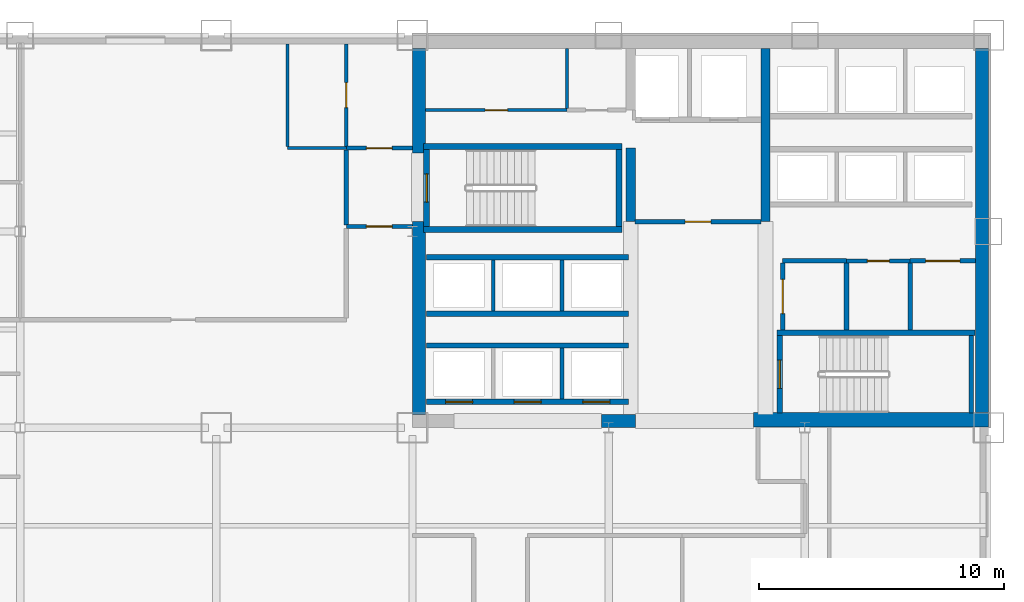
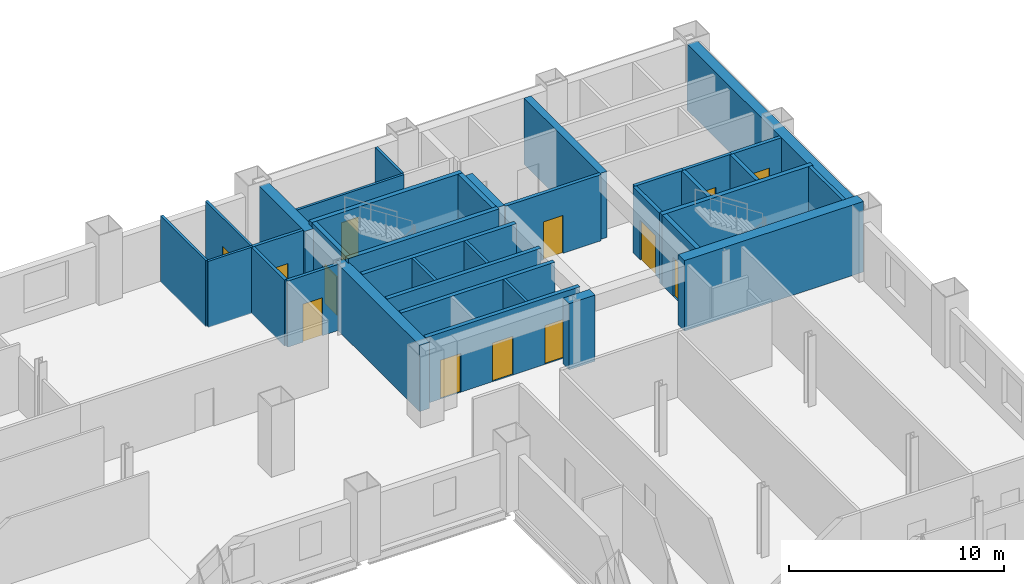
# One storey, part 6 of 9: 36 walls, 13 doors, 13 openings.
"""IFC4 building model written with IfcOpenShell, lengths in metres."""

from ifc_helpers import new_model, si_unit, direction, frame, frame_2d, origin, place, context, subcontext, project, spatial, rectangle, extrude, material, layer, layer_set, type_object, element, fill, save


model = new_model("IFC4")

# Units and contexts
model_context = context("Model", 3, precision=1e-05, world=origin(), true_north=direction((0.0, 1.0)))
body_context = subcontext(model_context, "Body", "Model", "MODEL_VIEW")
ifc_project = project(units=[si_unit("LENGTHUNIT", "METRE"), si_unit("AREAUNIT", "SQUARE_METRE"), si_unit("VOLUMEUNIT", "CUBIC_METRE"), si_unit("PLANEANGLEUNIT", "RADIAN"), si_unit("MASSUNIT", "GRAM", prefix="KILO")], contexts=[model_context])

# Site, building, storey
site_placement = place(None, origin())
site = spatial("IfcSite", under=ifc_project, at=site_placement, CompositionType="ELEMENT")
building_placement = place(site_placement, origin())
building = spatial("IfcBuilding", under=site, at=building_placement, Name="Qianrong Seaharbour Tower", CompositionType="ELEMENT")
storey_placement = place(building_placement, frame((0.0, 0.0, 76.199951171875)))
storey = spatial("IfcBuildingStorey", under=building, at=storey_placement, Name="L18", CompositionType="ELEMENT", Elevation=76.199951171875)

# Walls
ifc_material_1 = material(Name="Concrete C70/85", Category="concrete")
ifc_layer_1 = layer(ifc_material_1, 0.5400390625)
ifc_layer_set_1 = layer_set([ifc_layer_1], Name="Concrete C70/85")
wall_type_1 = type_object("IfcWallType", Name="WALL-CORE-540", PredefinedType="SHEAR", material=ifc_layer_set_1)
wall_1_placement = place(storey_placement, frame((63.72998046875, 36.320068359375, 0.0), z_axis=(0.0, 0.0, 1.0), x_axis=(0.0, 1.0, 0.0)))
element("IfcWall", 1, at=wall_1_placement, inside=storey, type_object=wall_type_1, Name="L18 East Core Shear Wall", PredefinedType="SHEAR", context=body_context, shape_type="SweptSolid", body=[
    extrude(rectangle(XDim=15.139892578125, YDim=0.5400390625, at=frame_2d((7.56982421875, 0.0))), origin(), (0.0, 0.0, 1.0), 3.75),
])
wall_2_placement = place(storey_placement, frame((40.77001953125, 36.5400390625, 0.0), z_axis=(0.0, 0.0, 1.0), x_axis=(0.0, 1.0, 0.0)))
element("IfcWall", 2, at=wall_2_placement, inside=storey, type_object=wall_type_1, Name="L18 West Core Shear Wall South", PredefinedType="SHEAR", context=body_context, shape_type="SweptSolid", body=[
    extrude(rectangle(XDim=7.85986328125, YDim=0.5400390625, at=frame_2d((3.929931640625, 0.0))), origin(), (0.0, 0.0, 1.0), 3.75),
])
wall_3_placement = place(storey_placement, frame((40.77001953125, 47.199951171875, 0.0), z_axis=(0.0, 0.0, 1.0), x_axis=(0.0, 1.0, 0.0)))
element("IfcWall", 3, at=wall_3_placement, inside=storey, type_object=wall_type_1, Name="L18 West Core Shear Wall North", PredefinedType="SHEAR", context=body_context, shape_type="SweptSolid", body=[
    extrude(rectangle(XDim=4.260009765625, YDim=0.5400390625, at=frame_2d((2.1298828125, 0.0))), origin(), (0.0, 0.0, 1.0), 3.75),
])
wall_4_placement = place(storey_placement, frame((48.199951171875, 36.27001953125, 0.0), z_axis=(0.0, 0.0, 1.0), x_axis=(1.0, 0.0, 0.0)))
element("IfcWall", 4, at=wall_4_placement, inside=storey, type_object=wall_type_1, Name="L18 South Core Shear Wall S2", PredefinedType="SHEAR", context=body_context, shape_type="SweptSolid", body=[
    extrude(rectangle(XDim=1.400146484375, YDim=0.5400390625, at=frame_2d((0.7001953125, 0.0))), origin(), (0.0, 0.0, 1.0), 3.75),
])
ifc_layer_2 = layer(ifc_material_1, 0.580078125)
ifc_layer_set_2 = layer_set([ifc_layer_2], Name="Concrete C70/85")
wall_type_2 = type_object("IfcWallType", Name="WALL-CORE-580", PredefinedType="SHEAR", material=ifc_layer_set_2)
wall_5_placement = place(storey_placement, frame((54.39990234375, 36.320068359375, 0.0), z_axis=(0.0, 0.0, 1.0), x_axis=(1.0, 0.0, 0.0)))
element("IfcWall", 5, at=wall_5_placement, inside=storey, type_object=wall_type_2, Name="L18 South Core Shear Wall S3", PredefinedType="SHEAR", context=body_context, shape_type="SweptSolid", body=[
    extrude(rectangle(XDim=9.60009765625, YDim=0.580078125, at=frame_2d((4.800048828125, 0.0))), origin(), (0.0, 0.0, 1.0), 4.0),
])
ifc_material_2 = material(Name="Concrete C60/75", Category="concrete")
ifc_layer_3 = layer(ifc_material_2, 0.3798828125)
ifc_layer_set_3 = layer_set([ifc_layer_3], Name="Concrete C60/75")
wall_type_3 = type_object("IfcWallType", Name="WALL-CORE-INT-380", PredefinedType="SHEAR", material=ifc_layer_set_3)
wall_6_placement = place(storey_placement, frame((49.39990234375, 44.39990234375, 0.0), z_axis=(0.0, 0.0, 1.0), x_axis=(0.0, 1.0, 0.0)))
element("IfcWall", 6, at=wall_6_placement, inside=storey, type_object=wall_type_3, Name="L18 Internal Core Shear Wall IW1N1", PredefinedType="SHEAR", context=body_context, shape_type="SweptSolid", body=[
    extrude(rectangle(XDim=3.0, YDim=0.3798828125, at=frame_2d((1.5, 0.0))), origin(), (0.0, 0.0, 1.0), 3.75),
])
wall_7_placement = place(storey_placement, frame((54.89990234375, 44.39990234375, 0.0), z_axis=(0.0, 0.0, 1.0), x_axis=(0.0, 1.0, 0.0)))
element("IfcWall", 7, at=wall_7_placement, inside=storey, type_object=wall_type_3, Name="L18 Internal Core Shear Wall IW2N", PredefinedType="SHEAR", context=body_context, shape_type="SweptSolid", body=[
    extrude(rectangle(XDim=7.06005859375, YDim=0.3798828125, at=frame_2d((3.530029296875, 0.0))), origin(), (0.0, 0.0, 1.0), 3.75),
])

# Wall, opening, door
ifc_material_3 = material(Name="Fire-rated acoustic gypsum board partition")
ifc_layer_4 = layer(ifc_material_3, 0.1650390625)
ifc_layer_set_4 = layer_set([ifc_layer_4], Name="Fire-rated acoustic gypsum board partition")
wall_type_4 = type_object("IfcWallType", Name="WALL-CORR-PART-165", PredefinedType="PARTITIONING", material=ifc_layer_set_4)
wall_8_placement = place(storey_placement, frame((37.800048828125, 47.39990234375, 0.0), z_axis=(0.0, 0.0, 1.0), x_axis=(1.0, 0.0, 0.0)))
wall_8 = element("IfcWall", 8, at=wall_8_placement, inside=storey, type_object=wall_type_4, Name="L18 Interior Partition Wall 001", PredefinedType="PARTITIONING", context=body_context, shape_type="SweptSolid", body=[
    extrude(rectangle(XDim=2.699951171875, YDim=0.1650390625, at=frame_2d((1.35009765625, 0.0))), origin(), (0.0, 0.0, 1.0), 3.75),
])
opening_1_placement = place(wall_8_placement, frame((0.824951171875, 0.0, 0.0)))
opening_1 = element("IfcOpeningElement", 9, at=opening_1_placement, cuts=wall_8, Name="Opening DC-01", PredefinedType="OPENING", context=body_context, shape_type="SweptSolid", body=[
    extrude(rectangle(XDim=1.050048828125, YDim=2.14990234375, at=frame_2d((0.52490234375, 1.074951171875))), frame((0.0, 0.092529296875, 0.0), z_axis=(0.0, -1.0, 0.0), x_axis=(1.0, 0.0, 0.0)), (0.0, 0.0, 1.0), 0.18505859375),
])
ifc_material_4 = material(Name="Acoustic timber and galvanized steel fire door assembly", Category="steel")
door_type_1 = type_object("IfcDoorType", Name="DOOR-CORR-FD60-1050x2150", OperationType="NOTDEFINED", PredefinedType="DOOR", material=ifc_material_4)
door_1_placement = place(opening_1_placement, origin())
door_1 = element("IfcDoor", 10, at=door_1_placement, inside=storey, type_object=door_type_1, Name="L18 Smokeproof Stair Vestibule ST-1 Door", OperationType="SINGLE_SWING_LEFT", OverallHeight=2.14990234375, OverallWidth=1.050048828125, PredefinedType="DOOR", context=body_context, shape_type="SweptSolid", body=[
    extrude(rectangle(XDim=1.050048828125, YDim=2.14990234375, at=frame_2d((0.52490234375, 1.074951171875))), frame((0.0, 0.02490234375, 0.0), z_axis=(0.0, -1.0, 0.0), x_axis=(1.0, 0.0, 0.0)), (0.0, 0.0, 1.0), 0.050048828125),
])
fill(opening_1, door_1)

wall_9_placement = place(storey_placement, frame((40.5, 44.199951171875, 0.0), z_axis=(0.0, 0.0, 1.0), x_axis=(-1.0, 0.0, 0.0)))
wall_9 = element("IfcWall", 11, at=wall_9_placement, inside=storey, type_object=wall_type_4, Name="L18 Interior Partition Wall 002", PredefinedType="PARTITIONING", context=body_context, shape_type="SweptSolid", body=[
    extrude(rectangle(XDim=2.699951171875, YDim=0.1650390625, at=frame_2d((1.35009765625, 0.0))), origin(), (0.0, 0.0, 1.0), 3.75),
])
opening_2_placement = place(wall_9_placement, frame((0.824951171875, 0.0, 0.0)))
opening_2 = element("IfcOpeningElement", 12, at=opening_2_placement, cuts=wall_9, Name="Opening DC-01", PredefinedType="OPENING", context=body_context, shape_type="SweptSolid", body=[
    extrude(rectangle(XDim=1.050048828125, YDim=2.14990234375, at=frame_2d((0.52490234375, 1.074951171875))), frame((0.0, 0.092529296875, 0.0), z_axis=(0.0, -1.0, 0.0), x_axis=(1.0, 0.0, 0.0)), (0.0, 0.0, 1.0), 0.18505859375),
])
door_2_placement = place(opening_2_placement, origin())
door_2 = element("IfcDoor", 13, at=door_2_placement, inside=storey, type_object=door_type_1, Name="L18 Smokeproof Stair Vestibule ST-1 Door", OperationType="SINGLE_SWING_RIGHT", OverallHeight=2.14990234375, OverallWidth=1.050048828125, PredefinedType="DOOR", context=body_context, shape_type="SweptSolid", body=[
    extrude(rectangle(XDim=1.050048828125, YDim=2.14990234375, at=frame_2d((0.52490234375, 1.074951171875))), frame((0.0, 0.02490234375, 0.0), z_axis=(0.0, -1.0, 0.0), x_axis=(1.0, 0.0, 0.0)), (0.0, 0.0, 1.0), 0.050048828125),
])
fill(opening_2, door_2)

# Wall
wall_10_placement = place(storey_placement, frame((37.800048828125, 44.2744140625, 0.0), z_axis=(0.0, 0.0, 1.0), x_axis=(0.0, 1.0, 0.0)))
element("IfcWall", 14, at=wall_10_placement, inside=storey, type_object=wall_type_4, Name="L18 Interior Partition Wall 003", PredefinedType="PARTITIONING", context=body_context, shape_type="SweptSolid", body=[
    extrude(rectangle(XDim=3.051025390625, YDim=0.1650390625, at=frame_2d((1.525390625, 0.0))), origin(), (0.0, 0.0, 1.0), 3.75),
])

# Wall, opening, door
wall_11_placement = place(storey_placement, frame((60.800048828125, 42.800048828125, 0.0), z_axis=(0.0, 0.0, 1.0), x_axis=(-1.0, 0.0, 0.0)))
wall_11 = element("IfcWall", 15, at=wall_11_placement, inside=storey, type_object=wall_type_4, Name="L18 Interior Partition Wall 012", PredefinedType="PARTITIONING", context=body_context, shape_type="SweptSolid", body=[
    extrude(rectangle(XDim=2.60009765625, YDim=0.1650390625, at=frame_2d((1.300048828125, 0.0))), origin(), (0.0, 0.0, 1.0), 3.75),
])
opening_3_placement = place(wall_11_placement, frame((0.85009765625, 0.0, 0.0)))
opening_3 = element("IfcOpeningElement", 16, at=opening_3_placement, cuts=wall_11, Name="Opening DS-01", PredefinedType="OPENING", context=body_context, shape_type="SweptSolid", body=[
    extrude(rectangle(XDim=0.89990234375, YDim=2.14990234375, at=frame_2d((0.449951171875, 1.074951171875))), frame((0.0, 0.092529296875, 0.0), z_axis=(0.0, -1.0, 0.0), x_axis=(1.0, 0.0, 0.0)), (0.0, 0.0, 1.0), 0.18505859375),
])
door_type_2 = type_object("IfcDoorType", Name="DOOR-STORE-900x2150", OperationType="NOTDEFINED", PredefinedType="DOOR", material=ifc_material_4)
door_3_placement = place(opening_3_placement, origin())
door_3 = element("IfcDoor", 17, at=door_3_placement, inside=storey, type_object=door_type_2, Name="L18 Supply Store Room Door", OperationType="SINGLE_SWING_LEFT", OverallHeight=2.14990234375, OverallWidth=0.89990234375, PredefinedType="DOOR", context=body_context, shape_type="SweptSolid", body=[
    extrude(rectangle(XDim=0.89990234375, YDim=2.14990234375, at=frame_2d((0.449951171875, 1.074951171875))), frame((0.0, 0.02490234375, 0.0), z_axis=(0.0, -1.0, 0.0), x_axis=(1.0, 0.0, 0.0)), (0.0, 0.0, 1.0), 0.050048828125),
])
fill(opening_3, door_3)

ifc_material_5 = material(Name="Double fire-rated gypsum board acoustic partition")
ifc_layer_5 = layer(ifc_material_5, 0.18994140625)
ifc_layer_set_5 = layer_set([ifc_layer_5], Name="Double fire-rated gypsum board acoustic partition")
wall_type_5 = type_object("IfcWallType", Name="WALL-FIRE-PART-190", PredefinedType="PARTITIONING", material=ifc_layer_set_5)
wall_12_placement = place(storey_placement, frame((54.718017578125, 44.39990234375, 0.0), z_axis=(0.0, 0.0, 1.0), x_axis=(-1.0, 0.0, 0.0)))
wall_12 = element("IfcWall", 18, at=wall_12_placement, inside=storey, type_object=wall_type_5, Name="L18 Interior Partition Wall 009", PredefinedType="PARTITIONING", context=body_context, shape_type="SweptSolid", body=[
    extrude(rectangle(XDim=5.135986328125, YDim=0.18994140625, at=frame_2d((2.56787109375, 0.0))), origin(), (0.0, 0.0, 1.0), 3.75),
])
opening_4_placement = place(wall_12_placement, frame((2.04296875, 0.0, 0.0)))
opening_4 = element("IfcOpeningElement", 19, at=opening_4_placement, cuts=wall_12, Name="Opening DC-01", PredefinedType="OPENING", context=body_context, shape_type="SweptSolid", body=[
    extrude(rectangle(XDim=1.050048828125, YDim=2.14990234375, at=frame_2d((0.52490234375, 1.074951171875))), frame((0.0, 0.10498046875, 0.0), z_axis=(0.0, -1.0, 0.0), x_axis=(1.0, 0.0, 0.0)), (0.0, 0.0, 1.0), 0.2099609375),
])
door_4_placement = place(opening_4_placement, origin())
door_4 = element("IfcDoor", 20, at=door_4_placement, inside=storey, type_object=door_type_1, Name="L18 Firefighting Lift Lobby Door", OperationType="SINGLE_SWING_RIGHT", OverallHeight=2.14990234375, OverallWidth=1.050048828125, PredefinedType="DOOR", context=body_context, shape_type="SweptSolid", body=[
    extrude(rectangle(XDim=1.050048828125, YDim=2.14990234375, at=frame_2d((0.52490234375, 1.074951171875))), frame((0.0, 0.02490234375, 0.0), z_axis=(0.0, -1.0, 0.0), x_axis=(1.0, 0.0, 0.0)), (0.0, 0.0, 1.0), 0.050048828125),
])
fill(opening_4, door_4)

wall_13_placement = place(storey_placement, frame((55.60009765625, 42.712890625, 0.0), z_axis=(0.0, 0.0, 1.0), x_axis=(0.0, -1.0, 0.0)))
wall_13 = element("IfcWall", 21, at=wall_13_placement, inside=storey, type_object=wall_type_5, Name="L18 Interior Partition Wall 010", PredefinedType="PARTITIONING", context=body_context, shape_type="SweptSolid", body=[
    extrude(rectangle(XDim=2.73095703125, YDim=0.18994140625, at=frame_2d((1.365478515625, 0.0))), origin(), (0.0, 0.0, 1.0), 3.75),
])
opening_5_placement = place(wall_13_placement, frame((0.66552734375, 0.0, 0.0)))
opening_5 = element("IfcOpeningElement", 22, at=opening_5_placement, cuts=wall_13, Name="Opening DP-01", PredefinedType="OPENING", context=body_context, shape_type="SweptSolid", body=[
    extrude(rectangle(XDim=1.39990234375, YDim=2.25, at=frame_2d((0.699951171875, 1.125))), frame((0.0, 0.10498046875, 0.0), z_axis=(0.0, -1.0, 0.0), x_axis=(1.0, 0.0, 0.0)), (0.0, 0.0, 1.0), 0.2099609375),
])
door_type_3 = type_object("IfcDoorType", Name="DOOR-PLANT-PAIR-1400x2250", OperationType="DOUBLE_DOOR_SINGLE_SWING", PredefinedType="DOOR", material=ifc_material_4)
door_5_placement = place(opening_5_placement, origin())
door_5 = element("IfcDoor", 23, at=door_5_placement, inside=storey, type_object=door_type_3, Name="L18 Core Telecom Room Door", OperationType="DOUBLE_DOOR_SINGLE_SWING", OverallHeight=2.25, OverallWidth=1.39990234375, PredefinedType="DOOR", context=body_context, shape_type="SweptSolid", body=[
    extrude(rectangle(XDim=1.39990234375, YDim=2.25, at=frame_2d((0.699951171875, 1.125))), frame((0.0, 0.02490234375, 0.0), z_axis=(0.0, -1.0, 0.0), x_axis=(1.0, 0.0, 0.0)), (0.0, 0.0, 1.0), 0.050048828125),
])
fill(opening_5, door_5)

# Wall
wall_14_placement = place(storey_placement, frame((58.199951171875, 42.800048828125, 0.0), z_axis=(0.0, 0.0, 1.0), x_axis=(-1.0, 0.0, 0.0)))
element("IfcWall", 24, at=wall_14_placement, inside=storey, type_object=wall_type_5, Name="L18 Interior Partition Wall 011", PredefinedType="PARTITIONING", context=body_context, shape_type="SweptSolid", body=[
    extrude(rectangle(XDim=2.599853515625, YDim=0.18994140625, at=frame_2d((1.2998046875, 0.0))), origin(), (0.0, 0.0, 1.0), 3.75),
])

# Wall, opening, door
wall_15_placement = place(storey_placement, frame((63.4599609375, 42.800048828125, 0.0), z_axis=(0.0, 0.0, 1.0), x_axis=(-1.0, 0.0, 0.0)))
wall_15 = element("IfcWall", 25, at=wall_15_placement, inside=storey, type_object=wall_type_5, Name="L18 Interior Partition Wall 013", PredefinedType="PARTITIONING", context=body_context, shape_type="SweptSolid", body=[
    extrude(rectangle(XDim=2.659912109375, YDim=0.18994140625, at=frame_2d((1.330078125, 0.0))), origin(), (0.0, 0.0, 1.0), 3.75),
])
opening_6_placement = place(wall_15_placement, frame((0.6298828125, 0.0, 0.0)))
opening_6 = element("IfcOpeningElement", 26, at=opening_6_placement, cuts=wall_15, Name="Opening DP-01", PredefinedType="OPENING", context=body_context, shape_type="SweptSolid", body=[
    extrude(rectangle(XDim=1.39990234375, YDim=2.25, at=frame_2d((0.699951171875, 1.125))), frame((0.0, 0.10498046875, 0.0), z_axis=(0.0, -1.0, 0.0), x_axis=(1.0, 0.0, 0.0)), (0.0, 0.0, 1.0), 0.2099609375),
])
door_6_placement = place(opening_6_placement, origin())
door_6 = element("IfcDoor", 27, at=door_6_placement, inside=storey, type_object=door_type_3, Name="L18 Building Metering Room Door", OperationType="DOUBLE_DOOR_SINGLE_SWING", OverallHeight=2.25, OverallWidth=1.39990234375, PredefinedType="DOOR", context=body_context, shape_type="SweptSolid", body=[
    extrude(rectangle(XDim=1.39990234375, YDim=2.25, at=frame_2d((0.699951171875, 1.125))), frame((0.0, 0.02490234375, 0.0), z_axis=(0.0, -1.0, 0.0), x_axis=(1.0, 0.0, 0.0)), (0.0, 0.0, 1.0), 0.050048828125),
])
fill(opening_6, door_6)

# Walls
for number, where, z_axis, x_axis, name in (
    (28, (58.199951171875, 42.712890625, 0.0), (0.0, 0.0, 1.0), (0.0, -1.0, 0.0), "L18 Interior Partition Wall 015"),
    (29, (60.800048828125, 42.712890625, 0.0), (0.0, 0.0, 1.0), (0.0, -1.0, 0.0), "L18 Interior Partition Wall 016"),
):
    element("IfcWall", number, at=place(storey_placement, frame(where, z_axis=z_axis, x_axis=x_axis)), inside=storey, type_object=wall_type_5, Name=name, PredefinedType="PARTITIONING", context=body_context, shape_type="SweptSolid", body=[
        extrude(rectangle(XDim=2.73095703125, YDim=0.18994140625, at=frame_2d((1.365478515625, 0.0))), origin(), (0.0, 0.0, 1.0), 3.75),
    ])
ifc_material_6 = material(Name="Fire-rated gypsum board on steel studs", Category="steel")
ifc_layer_6 = layer(ifc_material_6, 0.14990234375)
ifc_layer_set_6 = layer_set([ifc_layer_6], Name="Fire-rated gypsum board on steel studs")
wall_type_6 = type_object("IfcWallType", Name="WALL-SHAFT-DIV-150", PredefinedType="PARTITIONING", material=ifc_layer_set_6)
for number, where, z_axis, x_axis, name in (
    (30, (46.60009765625, 37.159912109375, 0.0), (0.0, 0.0, 1.0), (0.0, 1.0, 0.0), "L18 P1 Lift Hoistway Divider 3"),
    (31, (43.800048828125, 40.760009765625, 0.0), (0.0, 0.0, 1.0), (0.0, 1.0, 0.0), "L18 P2 Lift Hoistway Divider 2"),
    (32, (46.60009765625, 40.760009765625, 0.0), (0.0, 0.0, 1.0), (0.0, 1.0, 0.0), "L18 P2 Lift Hoistway Divider 3"),
):
    element("IfcWall", number, at=place(storey_placement, frame(where, z_axis=z_axis, x_axis=x_axis)), inside=storey, type_object=wall_type_6, Name=name, PredefinedType="PARTITIONING", context=body_context, shape_type="SweptSolid", body=[
        extrude(rectangle(XDim=2.080078125, YDim=0.14990234375, at=frame_2d((1.0400390625, 0.0))), origin(), (0.0, 0.0, 1.0), 3.75),
    ])

# Wall, openings, doors
ifc_layer_7 = layer(ifc_material_6, 0.219970703125)
ifc_layer_set_7 = layer_set([ifc_layer_7], Name="Fire-rated gypsum board on steel studs")
wall_type_7 = type_object("IfcWallType", Name="WALL-SHAFT-GYP220", PredefinedType="PARTITIONING", material=ifc_layer_set_7)
wall_16_placement = place(storey_placement, frame((49.320068359375, 37.050048828125, 0.0), z_axis=(0.0, 0.0, 1.0), x_axis=(-1.0, 0.0, 0.0)))
wall_16 = element("IfcWall", 33, at=wall_16_placement, inside=storey, type_object=wall_type_7, Name="L18 P1 Lift Hoistway Front Wall", PredefinedType="PARTITIONING", context=body_context, shape_type="SweptSolid", body=[
    extrude(rectangle(XDim=8.239990234375, YDim=0.219970703125, at=frame_2d((4.1201171875, 0.0))), origin(), (0.0, 0.0, 1.0), 3.75),
])
opening_7_placement = place(wall_16_placement, frame((6.3701171875, 0.0, 0.0)))
opening_7 = element("IfcOpeningElement", 34, at=opening_7_placement, cuts=wall_16, Name="Opening LD-02", PredefinedType="OPENING", context=body_context, shape_type="SweptSolid", body=[
    extrude(rectangle(XDim=1.10009765625, YDim=2.199951171875, at=frame_2d((0.550048828125, 1.10009765625))), frame((0.0, 0.1201171875, 0.0), z_axis=(0.0, -1.0, 0.0), x_axis=(1.0, 0.0, 0.0)), (0.0, 0.0, 1.0), 0.239990234375),
])
opening_8_placement = place(wall_16_placement, frame((3.570068359375, 0.0, 0.0)))
opening_8 = element("IfcOpeningElement", 35, at=opening_8_placement, cuts=wall_16, Name="Opening LD-02", PredefinedType="OPENING", context=body_context, shape_type="SweptSolid", body=[
    extrude(rectangle(XDim=1.10009765625, YDim=2.199951171875, at=frame_2d((0.550048828125, 1.10009765625))), frame((0.0, 0.1201171875, 0.0), z_axis=(0.0, -1.0, 0.0), x_axis=(1.0, 0.0, 0.0)), (0.0, 0.0, 1.0), 0.239990234375),
])
opening_9_placement = place(wall_16_placement, frame((0.77001953125, 0.0, 0.0)))
opening_9 = element("IfcOpeningElement", 36, at=opening_9_placement, cuts=wall_16, Name="Opening LD-02", PredefinedType="OPENING", context=body_context, shape_type="SweptSolid", body=[
    extrude(rectangle(XDim=1.10009765625, YDim=2.199951171875, at=frame_2d((0.550048828125, 1.10009765625))), frame((0.0, 0.1201171875, 0.0), z_axis=(0.0, -1.0, 0.0), x_axis=(1.0, 0.0, 0.0)), (0.0, 0.0, 1.0), 0.239990234375),
])
ifc_material_7 = material(Name="Stainless steel SUS316L bi-parting lift landing door", Category="steel")
door_type_4 = type_object("IfcDoorType", Name="DOOR-LIFT-PASS-1100x2200", OperationType="DOUBLE_DOOR_SLIDING", PredefinedType="DOOR", material=ifc_material_7)
door_7_placement = place(opening_7_placement, origin())
door_7 = element("IfcDoor", 37, at=door_7_placement, inside=storey, type_object=door_type_4, Name="L18 PL-1A Lift Landing Door", OperationType="DOUBLE_DOOR_SLIDING", OverallHeight=2.199951171875, OverallWidth=1.10009765625, PredefinedType="DOOR", context=body_context, shape_type="SweptSolid", body=[
    extrude(rectangle(XDim=1.10009765625, YDim=2.199951171875, at=frame_2d((0.550048828125, 1.10009765625))), frame((0.0, 0.02490234375, 0.0), z_axis=(0.0, -1.0, 0.0), x_axis=(1.0, 0.0, 0.0)), (0.0, 0.0, 1.0), 0.050048828125),
])
fill(opening_7, door_7)
door_8_placement = place(opening_8_placement, origin())
door_8 = element("IfcDoor", 38, at=door_8_placement, inside=storey, type_object=door_type_4, Name="L18 PL-1B Lift Landing Door", OperationType="DOUBLE_DOOR_SLIDING", OverallHeight=2.199951171875, OverallWidth=1.10009765625, PredefinedType="DOOR", context=body_context, shape_type="SweptSolid", body=[
    extrude(rectangle(XDim=1.10009765625, YDim=2.199951171875, at=frame_2d((0.550048828125, 1.10009765625))), frame((0.0, 0.02490234375, 0.0), z_axis=(0.0, -1.0, 0.0), x_axis=(1.0, 0.0, 0.0)), (0.0, 0.0, 1.0), 0.050048828125),
])
fill(opening_8, door_8)
door_9_placement = place(opening_9_placement, origin())
door_9 = element("IfcDoor", 39, at=door_9_placement, inside=storey, type_object=door_type_4, Name="L18 PL-1C Lift Landing Door", OperationType="DOUBLE_DOOR_SLIDING", OverallHeight=2.199951171875, OverallWidth=1.10009765625, PredefinedType="DOOR", context=body_context, shape_type="SweptSolid", body=[
    extrude(rectangle(XDim=1.10009765625, YDim=2.199951171875, at=frame_2d((0.550048828125, 1.10009765625))), frame((0.0, 0.02490234375, 0.0), z_axis=(0.0, -1.0, 0.0), x_axis=(1.0, 0.0, 0.0)), (0.0, 0.0, 1.0), 0.050048828125),
])
fill(opening_9, door_9)

# Walls
for number, where, z_axis, x_axis, name in (
    (40, (41.080078125, 39.35009765625, 0.0), (0.0, 0.0, 1.0), (1.0, 0.0, 0.0), "L18 P1 Lift Hoistway Back Wall"),
    (41, (49.320068359375, 40.64990234375, 0.0), (0.0, 0.0, 1.0), (-1.0, 0.0, 0.0), "L18 P2 Lift Hoistway Front Wall"),
    (42, (41.080078125, 42.949951171875, 0.0), (0.0, 0.0, 1.0), (1.0, 0.0, 0.0), "L18 P2 Lift Hoistway Back Wall"),
):
    element("IfcWall", number, at=place(storey_placement, frame(where, z_axis=z_axis, x_axis=x_axis)), inside=storey, type_object=wall_type_7, Name=name, PredefinedType="PARTITIONING", context=body_context, shape_type="SweptSolid", body=[
        extrude(rectangle(XDim=8.239990234375, YDim=0.219970703125, at=frame_2d((4.1201171875, 0.0))), origin(), (0.0, 0.0, 1.0), 3.75),
    ])
ifc_material_8 = material(Name="Concrete C50/60", Category="concrete")
ifc_layer_8 = layer(ifc_material_8, 0.239990234375)
ifc_layer_set_8 = layer_set([ifc_layer_8], Name="Concrete C50/60")
wall_type_8 = type_object("IfcWallType", Name="WALL-SHAFT-RC240", PredefinedType="SOLIDWALL", material=ifc_layer_set_8)
for number, where, z_axis, x_axis, name in (
    (43, (40.9599609375, 47.469970703125, 0.0), (0.0, 0.0, 1.0), (1.0, 0.0, 0.0), "L18 ST-1 Structural Stair Core Wall N"),
    (44, (49.0400390625, 44.080078125, 0.0), (0.0, 0.0, 1.0), (-1.0, 0.0, 0.0), "L18 ST-1 Structural Stair Core Wall S"),
):
    element("IfcWall", number, at=place(storey_placement, frame(where, z_axis=z_axis, x_axis=x_axis)), inside=storey, type_object=wall_type_8, Name=name, PredefinedType="SOLIDWALL", context=body_context, shape_type="SweptSolid", body=[
        extrude(rectangle(XDim=8.080078125, YDim=0.239990234375, at=frame_2d((4.0400390625, 0.0))), origin(), (0.0, 0.0, 1.0), 4.0),
    ])

# Wall, opening, door
wall_17_placement = place(storey_placement, frame((41.080078125, 47.35009765625, 0.0), z_axis=(0.0, 0.0, 1.0), x_axis=(0.0, -1.0, 0.0)))
wall_17 = element("IfcWall", 45, at=wall_17_placement, inside=storey, type_object=wall_type_8, Name="L18 ST-1 Structural Stair Core Wall W", PredefinedType="SOLIDWALL", context=body_context, shape_type="SweptSolid", body=[
    extrude(rectangle(XDim=3.150146484375, YDim=0.239990234375, at=frame_2d((1.5751953125, 0.0))), origin(), (0.0, 0.0, 1.0), 4.0),
])
opening_10_placement = place(wall_17_placement, frame((1.0, 0.0, 0.0)))
opening_10 = element("IfcOpeningElement", 46, at=opening_10_placement, cuts=wall_17, Name="Opening SD-01", PredefinedType="OPENING", context=body_context, shape_type="SweptSolid", body=[
    extrude(rectangle(XDim=1.14990234375, YDim=2.199951171875, at=frame_2d((0.574951171875, 1.10009765625))), frame((0.0, 0.1298828125, 0.0), z_axis=(0.0, -1.0, 0.0), x_axis=(1.0, 0.0, 0.0)), (0.0, 0.0, 1.0), 0.260009765625),
])
door_type_5 = type_object("IfcDoorType", Name="DOOR-STAIR-FD60-1150x2200", OperationType="NOTDEFINED", PredefinedType="DOOR", material=ifc_material_4)
door_10_placement = place(opening_10_placement, origin())
door_10 = element("IfcDoor", 47, at=door_10_placement, inside=storey, type_object=door_type_5, Name="L18 ST-1 Protected Stair Door", OperationType="SINGLE_SWING_LEFT", OverallHeight=2.199951171875, OverallWidth=1.14990234375, PredefinedType="DOOR", context=body_context, shape_type="SweptSolid", body=[
    extrude(rectangle(XDim=1.14990234375, YDim=2.199951171875, at=frame_2d((0.574951171875, 1.10009765625))), frame((0.0, 0.02490234375, 0.0), z_axis=(0.0, -1.0, 0.0), x_axis=(1.0, 0.0, 0.0)), (0.0, 0.0, 1.0), 0.050048828125),
])
fill(opening_10, door_10)

# Walls
wall_18_placement = place(storey_placement, frame((48.919921875, 44.199951171875, 0.0), z_axis=(0.0, 0.0, 1.0), x_axis=(0.0, 1.0, 0.0)))
element("IfcWall", 48, at=wall_18_placement, inside=storey, type_object=wall_type_8, Name="L18 ST-1 Structural Stair Core Wall E", PredefinedType="SOLIDWALL", context=body_context, shape_type="SweptSolid", body=[
    extrude(rectangle(XDim=3.150146484375, YDim=0.239990234375, at=frame_2d((1.5751953125, 0.0))), origin(), (0.0, 0.0, 1.0), 4.0),
])
wall_19_placement = place(storey_placement, frame((55.360107421875, 39.8701171875, 0.0), z_axis=(0.0, 0.0, 1.0), x_axis=(1.0, 0.0, 0.0)))
element("IfcWall", 49, at=wall_19_placement, inside=storey, type_object=wall_type_8, Name="L18 ST-2 Structural Stair Core Wall N", PredefinedType="SOLIDWALL", context=body_context, shape_type="SweptSolid", body=[
    extrude(rectangle(XDim=8.079833984375, YDim=0.239990234375, at=frame_2d((4.0400390625, 0.0))), origin(), (0.0, 0.0, 1.0), 4.0),
])

# Wall, opening, door
wall_20_placement = place(storey_placement, frame((55.47998046875, 39.75, 0.0), z_axis=(0.0, 0.0, 1.0), x_axis=(0.0, -1.0, 0.0)))
wall_20 = element("IfcWall", 50, at=wall_20_placement, inside=storey, type_object=wall_type_8, Name="L18 ST-2 Structural Stair Core Wall W", PredefinedType="SOLIDWALL", context=body_context, shape_type="SweptSolid", body=[
    extrude(rectangle(XDim=3.14990234375, YDim=0.239990234375, at=frame_2d((1.574951171875, 0.0))), origin(), (0.0, 0.0, 1.0), 4.0),
])
opening_11_placement = place(wall_20_placement, frame((1.0, 0.0, 0.0)))
opening_11 = element("IfcOpeningElement", 51, at=opening_11_placement, cuts=wall_20, Name="Opening SD-01", PredefinedType="OPENING", context=body_context, shape_type="SweptSolid", body=[
    extrude(rectangle(XDim=1.14990234375, YDim=2.199951171875, at=frame_2d((0.574951171875, 1.10009765625))), frame((0.0, 0.1298828125, 0.0), z_axis=(0.0, -1.0, 0.0), x_axis=(1.0, 0.0, 0.0)), (0.0, 0.0, 1.0), 0.260009765625),
])
door_11_placement = place(opening_11_placement, origin())
door_11 = element("IfcDoor", 52, at=door_11_placement, inside=storey, type_object=door_type_5, Name="L18 ST-2 Protected Stair Door", OperationType="SINGLE_SWING_LEFT", OverallHeight=2.199951171875, OverallWidth=1.14990234375, PredefinedType="DOOR", context=body_context, shape_type="SweptSolid", body=[
    extrude(rectangle(XDim=1.14990234375, YDim=2.199951171875, at=frame_2d((0.574951171875, 1.10009765625))), frame((0.0, 0.02490234375, 0.0), z_axis=(0.0, -1.0, 0.0), x_axis=(1.0, 0.0, 0.0)), (0.0, 0.0, 1.0), 0.050048828125),
])
fill(opening_11, door_11)

# Wall
wall_21_placement = place(storey_placement, frame((63.2900390625, 36.60009765625, 0.0), z_axis=(0.0, 0.0, 1.0), x_axis=(0.0, 1.0, 0.0)))
element("IfcWall", 53, at=wall_21_placement, inside=storey, type_object=wall_type_8, Name="L18 ST-2 Structural Stair Core Wall E", PredefinedType="SOLIDWALL", context=body_context, shape_type="SweptSolid", body=[
    extrude(rectangle(XDim=3.14990234375, YDim=0.179931640625, at=frame_2d((1.574951171875, 0.0))), origin(), (0.0, 0.0, 1.0), 4.0),
])

# Wall, opening, door
ifc_material_9 = material(Name="Water-resistant cement board sanitary partition")
ifc_layer_9 = layer(ifc_material_9, 0.1298828125)
ifc_layer_set_9 = layer_set([ifc_layer_9], Name="Water-resistant cement board sanitary partition")
wall_type_9 = type_object("IfcWallType", Name="WALL-WET-PART-130", PredefinedType="PARTITIONING", material=ifc_layer_set_9)
wall_22_placement = place(storey_placement, frame((37.800048828125, 47.474609375, 0.0), z_axis=(0.0, 0.0, 1.0), x_axis=(0.0, 1.0, 0.0)))
wall_22 = element("IfcWall", 54, at=wall_22_placement, inside=storey, type_object=wall_type_9, Name="L18 Interior Partition Wall 004", PredefinedType="PARTITIONING", context=body_context, shape_type="SweptSolid", body=[
    extrude(rectangle(XDim=4.17333984375, YDim=0.1298828125, at=frame_2d((2.086669921875, 0.0))), origin(), (0.0, 0.0, 1.0), 3.75),
])
opening_12_placement = place(wall_22_placement, frame((1.57666015625, 0.0, 0.0)))
opening_12 = element("IfcOpeningElement", 55, at=opening_12_placement, cuts=wall_22, Name="Opening DAW-01", PredefinedType="OPENING", context=body_context, shape_type="SweptSolid", body=[
    extrude(rectangle(XDim=1.02001953125, YDim=2.14990234375, at=frame_2d((0.510009765625, 1.074951171875))), frame((0.0, 0.074951171875, 0.0), z_axis=(0.0, -1.0, 0.0), x_axis=(1.0, 0.0, 0.0)), (0.0, 0.0, 1.0), 0.14990234375),
])
door_type_6 = type_object("IfcDoorType", Name="DOOR-AWC-SLIDE-1020x2150", OperationType="SLIDING_TO_LEFT", PredefinedType="DOOR", material=ifc_material_4)
door_12_placement = place(opening_12_placement, origin())
door_12 = element("IfcDoor", 56, at=door_12_placement, inside=storey, type_object=door_type_6, Name="L18 Accessible Restroom WC Door", OperationType="SLIDING_TO_LEFT", OverallHeight=2.14990234375, OverallWidth=1.02001953125, PredefinedType="DOOR", context=body_context, shape_type="SweptSolid", body=[
    extrude(rectangle(XDim=1.02001953125, YDim=2.14990234375, at=frame_2d((0.510009765625, 1.074951171875))), frame((0.0, 0.02490234375, 0.0), z_axis=(0.0, -1.0, 0.0), x_axis=(1.0, 0.0, 0.0)), (0.0, 0.0, 1.0), 0.050048828125),
])
fill(opening_12, door_12)

# Walls
wall_23_placement = place(storey_placement, frame((37.800048828125, 47.39990234375, 0.0), z_axis=(0.0, 0.0, 1.0), x_axis=(-1.0, 0.0, 0.0)))
element("IfcWall", 57, at=wall_23_placement, inside=storey, type_object=wall_type_9, Name="L18 Interior Partition Wall 005", PredefinedType="PARTITIONING", context=body_context, shape_type="SweptSolid", body=[
    extrude(rectangle(XDim=2.400146484375, YDim=0.1298828125, at=frame_2d((1.2001953125, 0.0))), origin(), (0.0, 0.0, 1.0), 3.75),
])
wall_24_placement = place(storey_placement, frame((35.39990234375, 47.45703125, 0.0), z_axis=(0.0, 0.0, 1.0), x_axis=(0.0, 1.0, 0.0)))
element("IfcWall", 58, at=wall_24_placement, inside=storey, type_object=wall_type_9, Name="L18 Interior Partition Wall 006", PredefinedType="PARTITIONING", context=body_context, shape_type="SweptSolid", body=[
    extrude(rectangle(XDim=4.19091796875, YDim=0.1298828125, at=frame_2d((2.095458984375, 0.0))), origin(), (0.0, 0.0, 1.0), 3.75),
])

# Wall, opening, door
wall_25_placement = place(storey_placement, frame((41.0400390625, 48.949951171875, 0.0), z_axis=(0.0, 0.0, 1.0), x_axis=(1.0, 0.0, 0.0)))
wall_25 = element("IfcWall", 59, at=wall_25_placement, inside=storey, type_object=wall_type_9, Name="L18 Interior Partition Wall 007", PredefinedType="PARTITIONING", context=body_context, shape_type="SweptSolid", body=[
    extrude(rectangle(XDim=5.760009765625, YDim=0.1298828125, at=frame_2d((2.8798828125, 0.0))), origin(), (0.0, 0.0, 1.0), 3.75),
])
opening_13_placement = place(wall_25_placement, frame((2.419921875, 0.0, 0.0)))
opening_13 = element("IfcOpeningElement", 60, at=opening_13_placement, cuts=wall_25, Name="Opening DW-01", PredefinedType="OPENING", context=body_context, shape_type="SweptSolid", body=[
    extrude(rectangle(XDim=0.919921875, YDim=2.14990234375, at=frame_2d((0.4599609375, 1.074951171875))), frame((0.0, 0.074951171875, 0.0), z_axis=(0.0, -1.0, 0.0), x_axis=(1.0, 0.0, 0.0)), (0.0, 0.0, 1.0), 0.14990234375),
])
door_type_7 = type_object("IfcDoorType", Name="DOOR-WC-920x2150", OperationType="NOTDEFINED", PredefinedType="DOOR", material=ifc_material_4)
door_13_placement = place(opening_13_placement, origin())
door_13 = element("IfcDoor", 61, at=door_13_placement, inside=storey, type_object=door_type_7, Name="L18 Restroom WC Suite Door", OperationType="SINGLE_SWING_LEFT", OverallHeight=2.14990234375, OverallWidth=0.919921875, PredefinedType="DOOR", context=body_context, shape_type="SweptSolid", body=[
    extrude(rectangle(XDim=0.919921875, YDim=2.14990234375, at=frame_2d((0.4599609375, 1.074951171875))), frame((0.0, 0.02490234375, 0.0), z_axis=(0.0, -1.0, 0.0), x_axis=(1.0, 0.0, 0.0)), (0.0, 0.0, 1.0), 0.050048828125),
])
fill(opening_13, door_13)

# Wall
wall_26_placement = place(storey_placement, frame((46.800048828125, 51.4599609375, 0.0), z_axis=(0.0, 0.0, 1.0), x_axis=(0.0, -1.0, 0.0)))
element("IfcWall", 62, at=wall_26_placement, inside=storey, type_object=wall_type_9, Name="L18 Interior Partition Wall 014", PredefinedType="PARTITIONING", context=body_context, shape_type="SweptSolid", body=[
    extrude(rectangle(XDim=2.435546875, YDim=0.1298828125, at=frame_2d((1.2177734375, 0.0))), origin(), (0.0, 0.0, 1.0), 3.75),
])

save(model, "model.ifc")
